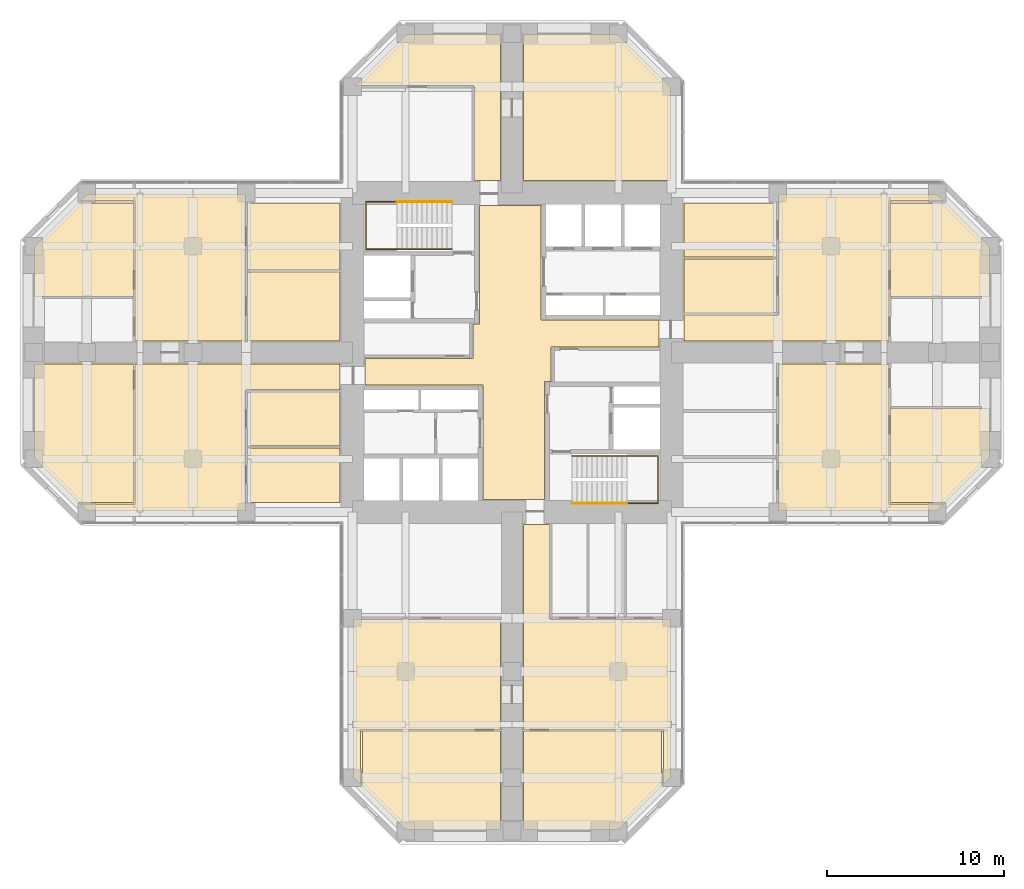
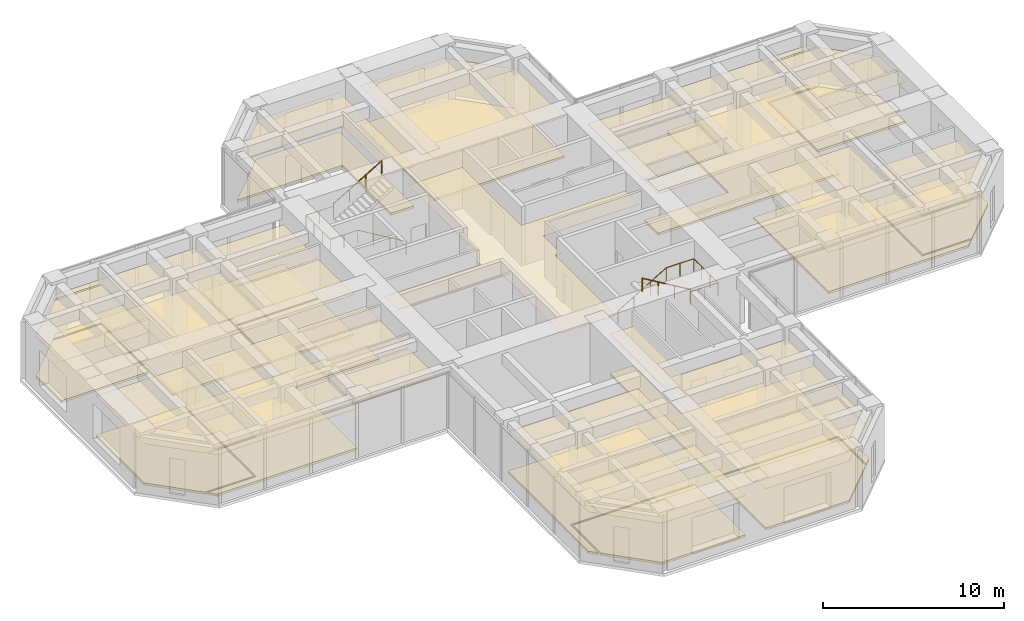
# One storey, part 13 of 13: 37 coverings, 4 railings.
"""IFC4 building model written with IfcOpenShell, lengths in metres."""

from ifc_helpers import new_model, si_unit, direction, frame, origin, origin_2d, place, context, subcontext, project, spatial, polyline, circle, outline, extrude, material, layer, layer_set, constituent, constituent_set, type_object, element, save


model = new_model("IFC4")

# Units and contexts
model_context = context("Model", 3, precision=1e-05, world=origin(), true_north=direction((0.0, 1.0)))
body_context = subcontext(model_context, "Body", "Model", "MODEL_VIEW")
ifc_project = project(units=[si_unit("LENGTHUNIT", "METRE"), si_unit("AREAUNIT", "SQUARE_METRE"), si_unit("VOLUMEUNIT", "CUBIC_METRE"), si_unit("PLANEANGLEUNIT", "RADIAN"), si_unit("MASSUNIT", "GRAM", prefix="KILO")], contexts=[model_context])

# Site, building, storey
site_placement = place(None, origin())
site = spatial("IfcSite", under=ifc_project, at=site_placement, CompositionType="ELEMENT")
building_placement = place(site_placement, origin())
building = spatial("IfcBuilding", under=site, at=building_placement, Name="Torre Cruceta", CompositionType="ELEMENT")
storey_placement = place(building_placement, frame((0.0, 0.0, 128.5)))
storey = spatial("IfcBuildingStorey", under=building, at=storey_placement, Name="L31", CompositionType="ELEMENT", Elevation=128.5)

# Railings
ifc_material_1 = material(Name="Stainless steel 1.4401", Category="steel")
railing_type = type_object("IfcRailingType", Name="HANDRAIL 900", PredefinedType="HANDRAIL", material=ifc_material_1)
railing_1_placement = place(storey_placement, frame((-3.39990234375, 5.8349609375, 0.166748046875)))
element("IfcRailing", 1, at=railing_1_placement, inside=storey, type_object=railing_type, Name="Handrail HR1 ST1 L31", PredefinedType="HANDRAIL", context=body_context, shape_type="SweptSolid", body=[
    extrude(circle(Radius=0.02392578125, at=origin_2d()), frame((0.0, 0.0, 0.8759765625), z_axis=(-0.859308565015, 0.0, 0.511457515432), x_axis=(0.0, -1.0, 0.0)), (0.0, 0.0, 1.0), 3.58447265625),
    extrude(circle(Radius=0.02392578125, at=origin_2d()), frame((-3.080078125, 0.0, 2.708984375), z_axis=(-1.0, 0.0, 0.0), x_axis=(0.0, -1.0, 0.0)), (0.0, 0.0, 1.0), 1.760009765625),
    extrude(circle(Radius=0.02392578125, at=origin_2d()), frame((-4.840087890625, 0.0, 2.708984375), z_axis=(0.0, 1.0, 0.0), x_axis=(-1.0, 0.0, 0.0)), (0.0, 0.0, 1.0), 2.679931640625),
    extrude(circle(Radius=0.02392578125, at=origin_2d()), frame((-4.840087890625, 2.679931640625, 2.708984375), z_axis=(1.0, 0.0, 0.0), x_axis=(0.0, 1.0, 0.0)), (0.0, 0.0, 1.0), 1.760009765625),
    extrude(circle(Radius=0.02099609375, at=origin_2d()), origin(), (0.0, 0.0, 1.0), 0.851806640625),
    extrude(circle(Radius=0.02099609375, at=origin_2d()), frame((-1.026611328125, 0.0, 0.611083984375)), (0.0, 0.0, 1.0), 0.851806640625),
    extrude(circle(Radius=0.02099609375, at=origin_2d()), frame((-2.053466796875, 0.0, 1.22216796875)), (0.0, 0.0, 1.0), 0.851806640625),
    extrude(circle(Radius=0.02099609375, at=origin_2d()), frame((-3.080078125, 0.0, 1.833251953125)), (0.0, 0.0, 1.0), 0.851806640625),
    extrude(circle(Radius=0.02099609375, at=origin_2d()), frame((-3.9599609375, 0.0, 1.833251953125)), (0.0, 0.0, 1.0), 0.851806640625),
    extrude(circle(Radius=0.02099609375, at=origin_2d()), frame((-4.840087890625, 0.0, 1.833251953125)), (0.0, 0.0, 1.0), 0.851806640625),
    extrude(circle(Radius=0.02099609375, at=origin_2d()), frame((-4.840087890625, 0.893310546875, 1.833251953125)), (0.0, 0.0, 1.0), 0.851806640625),
    extrude(circle(Radius=0.02099609375, at=origin_2d()), frame((-4.840087890625, 1.78662109375, 1.833251953125)), (0.0, 0.0, 1.0), 0.851806640625),
    extrude(circle(Radius=0.02099609375, at=origin_2d()), frame((-4.840087890625, 2.679931640625, 1.833251953125)), (0.0, 0.0, 1.0), 0.851806640625),
    extrude(circle(Radius=0.02099609375, at=origin_2d()), frame((-3.9599609375, 2.679931640625, 1.833251953125)), (0.0, 0.0, 1.0), 0.851806640625),
    extrude(circle(Radius=0.02099609375, at=origin_2d()), frame((-3.080078125, 2.679931640625, 1.833251953125)), (0.0, 0.0, 1.0), 0.851806640625),
])
railing_2_placement = place(storey_placement, frame((-6.47998046875, 8.514892578125, 2.166748046875)))
element("IfcRailing", 2, at=railing_2_placement, inside=storey, type_object=railing_type, Name="Handrail HR1 ST1 L31", PredefinedType="HANDRAIL", context=body_context, shape_type="SweptSolid", body=[
    extrude(circle(Radius=0.02392578125, at=origin_2d()), frame((0.0, 0.0, 0.8759765625), z_axis=(0.859308565015, 0.0, 0.511457515432), x_axis=(0.0, 1.0, 0.0)), (0.0, 0.0, 1.0), 3.58447265625),
    extrude(circle(Radius=0.02099609375, at=origin_2d()), origin(), (0.0, 0.0, 1.0), 0.851806640625),
    extrude(circle(Radius=0.02099609375, at=origin_2d()), frame((1.026611328125, 0.0, 0.611083984375)), (0.0, 0.0, 1.0), 0.851806640625),
    extrude(circle(Radius=0.02099609375, at=origin_2d()), frame((2.053466796875, 0.0, 1.22216796875)), (0.0, 0.0, 1.0), 0.851806640625),
    extrude(circle(Radius=0.02099609375, at=origin_2d()), frame((3.080078125, 0.0, 1.833251953125)), (0.0, 0.0, 1.0), 0.851806640625),
])
railing_3_placement = place(storey_placement, frame((3.39990234375, -5.8349609375, 0.166748046875)))
element("IfcRailing", 3, at=railing_3_placement, inside=storey, type_object=railing_type, Name="Handrail HR1 ST2 L31", PredefinedType="HANDRAIL", context=body_context, shape_type="SweptSolid", body=[
    extrude(circle(Radius=0.02392578125, at=origin_2d()), frame((0.0, 0.0, 0.8759765625), z_axis=(0.859308565015, 0.0, 0.511457515432), x_axis=(0.0, 1.0, 0.0)), (0.0, 0.0, 1.0), 3.58447265625),
    extrude(circle(Radius=0.02392578125, at=origin_2d()), frame((3.080078125, 0.0, 2.708984375), z_axis=(1.0, 0.0, 0.0), x_axis=(0.0, 1.0, 0.0)), (0.0, 0.0, 1.0), 1.760009765625),
    extrude(circle(Radius=0.02392578125, at=origin_2d()), frame((4.840087890625, 0.0, 2.708984375), z_axis=(0.0, -1.0, 0.0), x_axis=(1.0, 0.0, 0.0)), (0.0, 0.0, 1.0), 2.679931640625),
    extrude(circle(Radius=0.02392578125, at=origin_2d()), frame((4.840087890625, -2.679931640625, 2.708984375), z_axis=(-1.0, 0.0, 0.0), x_axis=(0.0, -1.0, 0.0)), (0.0, 0.0, 1.0), 1.760009765625),
    extrude(circle(Radius=0.02099609375, at=origin_2d()), origin(), (0.0, 0.0, 1.0), 0.851806640625),
    extrude(circle(Radius=0.02099609375, at=origin_2d()), frame((1.026611328125, 0.0, 0.611083984375)), (0.0, 0.0, 1.0), 0.851806640625),
    extrude(circle(Radius=0.02099609375, at=origin_2d()), frame((2.053466796875, 0.0, 1.22216796875)), (0.0, 0.0, 1.0), 0.851806640625),
    extrude(circle(Radius=0.02099609375, at=origin_2d()), frame((3.080078125, 0.0, 1.833251953125)), (0.0, 0.0, 1.0), 0.851806640625),
    extrude(circle(Radius=0.02099609375, at=origin_2d()), frame((3.9599609375, 0.0, 1.833251953125)), (0.0, 0.0, 1.0), 0.851806640625),
    extrude(circle(Radius=0.02099609375, at=origin_2d()), frame((4.840087890625, 0.0, 1.833251953125)), (0.0, 0.0, 1.0), 0.851806640625),
    extrude(circle(Radius=0.02099609375, at=origin_2d()), frame((4.840087890625, -0.893310546875, 1.833251953125)), (0.0, 0.0, 1.0), 0.851806640625),
    extrude(circle(Radius=0.02099609375, at=origin_2d()), frame((4.840087890625, -1.78662109375, 1.833251953125)), (0.0, 0.0, 1.0), 0.851806640625),
    extrude(circle(Radius=0.02099609375, at=origin_2d()), frame((4.840087890625, -2.679931640625, 1.833251953125)), (0.0, 0.0, 1.0), 0.851806640625),
    extrude(circle(Radius=0.02099609375, at=origin_2d()), frame((3.9599609375, -2.679931640625, 1.833251953125)), (0.0, 0.0, 1.0), 0.851806640625),
    extrude(circle(Radius=0.02099609375, at=origin_2d()), frame((3.080078125, -2.679931640625, 1.833251953125)), (0.0, 0.0, 1.0), 0.851806640625),
])
railing_4_placement = place(storey_placement, frame((6.47998046875, -8.514892578125, 2.166748046875)))
element("IfcRailing", 4, at=railing_4_placement, inside=storey, type_object=railing_type, Name="Handrail HR1 ST2 L31", PredefinedType="HANDRAIL", context=body_context, shape_type="SweptSolid", body=[
    extrude(circle(Radius=0.02392578125, at=origin_2d()), frame((0.0, 0.0, 0.8759765625), z_axis=(-0.859308565015, 0.0, 0.511457515432), x_axis=(0.0, -1.0, 0.0)), (0.0, 0.0, 1.0), 3.58447265625),
    extrude(circle(Radius=0.02099609375, at=origin_2d()), origin(), (0.0, 0.0, 1.0), 0.851806640625),
    extrude(circle(Radius=0.02099609375, at=origin_2d()), frame((-1.026611328125, 0.0, 0.611083984375)), (0.0, 0.0, 1.0), 0.851806640625),
    extrude(circle(Radius=0.02099609375, at=origin_2d()), frame((-2.053466796875, 0.0, 1.22216796875)), (0.0, 0.0, 1.0), 0.851806640625),
    extrude(circle(Radius=0.02099609375, at=origin_2d()), frame((-3.080078125, 0.0, 1.833251953125)), (0.0, 0.0, 1.0), 0.851806640625),
])

# Coverings
ifc_material_2 = material(Name="Steel DX51D", Category="steel")
ifc_constituent_1 = constituent(ifc_material_2, Name="Panel casing")
ifc_material_3 = material(Name="Calcium sulphate", Category="gypsum")
ifc_constituent_2 = constituent(ifc_material_3, Name="Panel core")
ifc_constituent_set = constituent_set(constituents=[ifc_constituent_1, ifc_constituent_2], Name="Raised access floor panel")
covering_type_1 = type_object("IfcCoveringType", Name="RAISED ACCESS FLOOR 150", PredefinedType="FLOORING", material=ifc_constituent_set)
covering_1_placement = place(storey_placement, origin())
element("IfcCovering", 5, at=covering_1_placement, inside=storey, type_object=covering_type_1, Name="Raised floor L31-026", PredefinedType="FLOORING", context=body_context, shape_type="SweptSolid", body=[
    extrude(outline(polyline([(-0.64990234375, 17.949951171875), (-0.64990234375, 9.699951171875), (-2.125, 9.699951171875), (-2.125, 15.050048828125), (-8.87939453125, 15.050048828125), (-5.979248046875, 17.949951171875), (-0.64990234375, 17.949951171875)])), origin(), (0.0, 0.0, 1.0), 0.14990234375),
])
covering_2_placement = place(storey_placement, origin())
element("IfcCovering", 6, at=covering_2_placement, inside=storey, type_object=covering_type_1, Name="Raised floor L31-027", PredefinedType="FLOORING", context=body_context, shape_type="SweptSolid", body=[
    extrude(outline(polyline([(5.979248046875, 17.949951171875), (8.949951171875, 14.979248046875), (8.949951171875, 9.699951171875), (0.64990234375, 9.699951171875), (0.64990234375, 17.949951171875), (5.979248046875, 17.949951171875)])), origin(), (0.0, 0.0, 1.0), 0.14990234375),
])
covering_3_placement = place(storey_placement, origin())
element("IfcCovering", 7, at=covering_3_placement, inside=storey, type_object=covering_type_1, Name="Raised floor L31-034", PredefinedType="FLOORING", context=body_context, shape_type="SweptSolid", body=[
    extrude(outline(polyline([(26.949951171875, 3.16796875), (21.3701171875, 3.16796875), (21.3701171875, 8.449951171875), (24.479248046875, 8.449951171875), (26.949951171875, 5.979248046875), (26.949951171875, 3.16796875)])), origin(), (0.0, 0.0, 1.0), 0.14990234375),
])
covering_4_placement = place(storey_placement, origin())
element("IfcCovering", 8, at=covering_4_placement, inside=storey, type_object=covering_type_1, Name="Raised floor L31-036", PredefinedType="FLOORING", context=body_context, shape_type="SweptSolid", body=[
    extrude(outline(polyline([(24.479248046875, -8.449951171875), (21.3701171875, -8.449951171875), (21.3701171875, -3.16796875), (26.949951171875, -3.16796875), (26.949951171875, -5.979248046875), (24.479248046875, -8.449951171875)])), origin(), (0.0, 0.0, 1.0), 0.14990234375),
])
covering_5_placement = place(storey_placement, origin())
element("IfcCovering", 9, at=covering_5_placement, inside=storey, type_object=covering_type_1, Name="Raised floor L31-037", PredefinedType="FLOORING", context=body_context, shape_type="SweptSolid", body=[
    extrude(outline(polyline([(9.699951171875, 2.125), (15.050048828125, 2.125), (15.050048828125, 8.949951171875), (23.979248046875, 8.949951171875), (24.37939453125, 8.550048828125), (21.27001953125, 8.550048828125), (21.27001953125, 0.64990234375), (9.699951171875, 0.64990234375), (9.699951171875, 2.125)])), origin(), (0.0, 0.0, 1.0), 0.14990234375),
])
covering_6_placement = place(storey_placement, origin())
element("IfcCovering", 10, at=covering_6_placement, inside=storey, type_object=covering_type_1, Name="Raised floor L31-038", PredefinedType="FLOORING", context=body_context, shape_type="SweptSolid", body=[
    extrude(outline(polyline([(15.050048828125, -8.949951171875), (15.050048828125, -0.64990234375), (21.27001953125, -0.64990234375), (21.27001953125, -8.550048828125), (24.37939453125, -8.550048828125), (23.979248046875, -8.949951171875), (15.050048828125, -8.949951171875)])), origin(), (0.0, 0.0, 1.0), 0.14990234375),
])
covering_7_placement = place(storey_placement, origin())
element("IfcCovering", 11, at=covering_7_placement, inside=storey, type_object=covering_type_1, Name="Raised floor L31-043", PredefinedType="FLOORING", context=body_context, shape_type="SweptSolid", body=[
    extrude(outline(polyline([(0.64990234375, -26.949951171875), (0.64990234375, -21.3701171875), (8.449951171875, -21.3701171875), (8.449951171875, -24.479248046875), (5.979248046875, -26.949951171875), (0.64990234375, -26.949951171875)])), origin(), (0.0, 0.0, 1.0), 0.14990234375),
])
covering_8_placement = place(storey_placement, origin())
element("IfcCovering", 12, at=covering_8_placement, inside=storey, type_object=covering_type_1, Name="Raised floor L31-044", PredefinedType="FLOORING", context=body_context, shape_type="SweptSolid", body=[
    extrude(outline(polyline([(-8.449951171875, -24.479248046875), (-8.449951171875, -21.3701171875), (-0.64990234375, -21.3701171875), (-0.64990234375, -26.949951171875), (-5.979248046875, -26.949951171875), (-8.449951171875, -24.479248046875)])), origin(), (0.0, 0.0, 1.0), 0.14990234375),
])
covering_9_placement = place(storey_placement, origin())
element("IfcCovering", 13, at=covering_9_placement, inside=storey, type_object=covering_type_1, Name="Raised floor L31-045", PredefinedType="FLOORING", context=body_context, shape_type="SweptSolid", body=[
    extrude(outline(polyline([(2.125, -9.699951171875), (2.125, -15.050048828125), (8.949951171875, -15.050048828125), (8.949951171875, -23.979248046875), (8.550048828125, -24.37939453125), (8.550048828125, -21.27001953125), (0.64990234375, -21.27001953125), (0.64990234375, -9.699951171875), (2.125, -9.699951171875)])), origin(), (0.0, 0.0, 1.0), 0.14990234375),
])
covering_10_placement = place(storey_placement, origin())
element("IfcCovering", 14, at=covering_10_placement, inside=storey, type_object=covering_type_1, Name="Raised floor L31-046", PredefinedType="FLOORING", context=body_context, shape_type="SweptSolid", body=[
    extrude(outline(polyline([(-8.949951171875, -15.050048828125), (-0.64990234375, -15.050048828125), (-0.64990234375, -21.27001953125), (-8.550048828125, -21.27001953125), (-8.550048828125, -24.37939453125), (-8.949951171875, -23.979248046875), (-8.949951171875, -15.050048828125)])), origin(), (0.0, 0.0, 1.0), 0.14990234375),
])
covering_11_placement = place(storey_placement, origin())
element("IfcCovering", 15, at=covering_11_placement, inside=storey, type_object=covering_type_1, Name="Raised floor L31-049", PredefinedType="FLOORING", context=body_context, shape_type="SweptSolid", body=[
    extrude(outline(polyline([(-9.699951171875, 4.550048828125), (-9.699951171875, 0.64990234375), (-14.949951171875, 0.64990234375), (-14.949951171875, 4.550048828125), (-9.699951171875, 4.550048828125)])), origin(), (0.0, 0.0, 1.0), 0.14990234375),
])
covering_12_placement = place(storey_placement, origin())
element("IfcCovering", 16, at=covering_12_placement, inside=storey, type_object=covering_type_1, Name="Raised floor L31-050", PredefinedType="FLOORING", context=body_context, shape_type="SweptSolid", body=[
    extrude(outline(polyline([(-9.699951171875, 8.449951171875), (-9.699951171875, 4.64990234375), (-14.949951171875, 4.64990234375), (-14.949951171875, 8.449951171875), (-9.699951171875, 8.449951171875)])), origin(), (0.0, 0.0, 1.0), 0.14990234375),
])
covering_13_placement = place(storey_placement, origin())
element("IfcCovering", 17, at=covering_13_placement, inside=storey, type_object=covering_type_1, Name="Raised floor L31-051", PredefinedType="FLOORING", context=body_context, shape_type="SweptSolid", body=[
    extrude(outline(polyline([(-26.949951171875, -0.64990234375), (-21.3701171875, -0.64990234375), (-21.3701171875, -8.449951171875), (-24.479248046875, -8.449951171875), (-26.949951171875, -5.979248046875), (-26.949951171875, -0.64990234375)])), origin(), (0.0, 0.0, 1.0), 0.14990234375),
])
covering_14_placement = place(storey_placement, origin())
element("IfcCovering", 18, at=covering_14_placement, inside=storey, type_object=covering_type_1, Name="Raised floor L31-053", PredefinedType="FLOORING", context=body_context, shape_type="SweptSolid", body=[
    extrude(outline(polyline([(-24.479248046875, 8.449951171875), (-21.3701171875, 8.449951171875), (-21.3701171875, 3.16796875), (-26.949951171875, 3.16796875), (-26.949951171875, 5.979248046875), (-24.479248046875, 8.449951171875)])), origin(), (0.0, 0.0, 1.0), 0.14990234375),
])
covering_15_placement = place(storey_placement, origin())
element("IfcCovering", 19, at=covering_15_placement, inside=storey, type_object=covering_type_1, Name="Raised floor L31-054", PredefinedType="FLOORING", context=body_context, shape_type="SweptSolid", body=[
    extrude(outline(polyline([(-9.699951171875, -2.125), (-15.050048828125, -2.125), (-15.050048828125, -8.949951171875), (-23.979248046875, -8.949951171875), (-24.37939453125, -8.550048828125), (-21.27001953125, -8.550048828125), (-21.27001953125, -0.64990234375), (-9.699951171875, -0.64990234375), (-9.699951171875, -2.125)])), origin(), (0.0, 0.0, 1.0), 0.14990234375),
])
covering_16_placement = place(storey_placement, origin())
element("IfcCovering", 20, at=covering_16_placement, inside=storey, type_object=covering_type_1, Name="Raised floor L31-055", PredefinedType="FLOORING", context=body_context, shape_type="SweptSolid", body=[
    extrude(outline(polyline([(-15.050048828125, 8.949951171875), (-15.050048828125, 0.64990234375), (-21.27001953125, 0.64990234375), (-21.27001953125, 8.550048828125), (-24.37939453125, 8.550048828125), (-23.979248046875, 8.949951171875), (-15.050048828125, 8.949951171875)])), origin(), (0.0, 0.0, 1.0), 0.14990234375),
])
ifc_material_4 = material(Name="Mineral fibre ceiling tile", Category="gypsum")
ifc_layer = layer(ifc_material_4, 0.02001953125)
ifc_layer_set = layer_set([ifc_layer], Name="Mineral fibre ceiling tile")
covering_type_2 = type_object("IfcCoveringType", Name="SUSPENDED CEILING 20", PredefinedType="CEILING", material=ifc_layer_set)
covering_17_placement = place(storey_placement, frame((0.0, 0.0, 2.780029296875)))
element("IfcCovering", 21, at=covering_17_placement, inside=storey, type_object=covering_type_2, Name="Ceiling L31-001", PredefinedType="CEILING", context=body_context, shape_type="SweptSolid", body=[
    extrude(outline(polyline([(1.824951171875, -8.300048828125), (-1.625, -8.300048828125), (-1.625, -1.824951171875), (-8.300048828125, -1.824951171875), (-8.300048828125, -0.324951171875), (-2.199951171875, -0.324951171875), (-2.199951171875, 1.625), (-1.824951171875, 1.625), (-1.824951171875, 8.300048828125), (1.625, 8.300048828125), (1.625, 1.824951171875), (8.300048828125, 1.824951171875), (8.300048828125, 0.324951171875), (2.199951171875, 0.324951171875), (2.199951171875, -1.625), (1.824951171875, -1.625), (1.824951171875, -8.300048828125)])), origin(), (0.0, 0.0, 1.0), 0.02001953125),
])
covering_18_placement = place(storey_placement, frame((0.0, 0.0, 2.780029296875)))
element("IfcCovering", 22, at=covering_18_placement, inside=storey, type_object=covering_type_2, Name="Ceiling L31-026", PredefinedType="CEILING", context=body_context, shape_type="SweptSolid", body=[
    extrude(outline(polyline([(-0.64990234375, 17.949951171875), (-0.64990234375, 9.699951171875), (-2.125, 9.699951171875), (-2.125, 15.050048828125), (-8.87939453125, 15.050048828125), (-5.979248046875, 17.949951171875), (-0.64990234375, 17.949951171875)])), origin(), (0.0, 0.0, 1.0), 0.02001953125),
])
covering_19_placement = place(storey_placement, frame((0.0, 0.0, 2.780029296875)))
element("IfcCovering", 23, at=covering_19_placement, inside=storey, type_object=covering_type_2, Name="Ceiling L31-027", PredefinedType="CEILING", context=body_context, shape_type="SweptSolid", body=[
    extrude(outline(polyline([(5.979248046875, 17.949951171875), (8.949951171875, 14.979248046875), (8.949951171875, 9.699951171875), (0.64990234375, 9.699951171875), (0.64990234375, 17.949951171875), (5.979248046875, 17.949951171875)])), origin(), (0.0, 0.0, 1.0), 0.02001953125),
])
covering_20_placement = place(storey_placement, frame((0.0, 0.0, 2.780029296875)))
element("IfcCovering", 24, at=covering_20_placement, inside=storey, type_object=covering_type_2, Name="Ceiling L31-028", PredefinedType="CEILING", context=body_context, shape_type="SweptSolid", body=[
    extrude(outline(polyline([(9.699951171875, 2.22509765625), (9.699951171875, 5.28759765625), (14.949951171875, 5.28759765625), (14.949951171875, 2.22509765625), (9.699951171875, 2.22509765625)])), origin(), (0.0, 0.0, 1.0), 0.02001953125),
])
covering_21_placement = place(storey_placement, frame((0.0, 0.0, 2.780029296875)))
element("IfcCovering", 25, at=covering_21_placement, inside=storey, type_object=covering_type_2, Name="Ceiling L31-029", PredefinedType="CEILING", context=body_context, shape_type="SweptSolid", body=[
    extrude(outline(polyline([(9.699951171875, 5.387451171875), (9.699951171875, 8.449951171875), (14.949951171875, 8.449951171875), (14.949951171875, 5.387451171875), (9.699951171875, 5.387451171875)])), origin(), (0.0, 0.0, 1.0), 0.02001953125),
])
covering_22_placement = place(storey_placement, frame((0.0, 0.0, 2.780029296875)))
element("IfcCovering", 26, at=covering_22_placement, inside=storey, type_object=covering_type_2, Name="Ceiling L31-034", PredefinedType="CEILING", context=body_context, shape_type="SweptSolid", body=[
    extrude(outline(polyline([(26.949951171875, 3.16796875), (21.3701171875, 3.16796875), (21.3701171875, 8.449951171875), (24.479248046875, 8.449951171875), (26.949951171875, 5.979248046875), (26.949951171875, 3.16796875)])), origin(), (0.0, 0.0, 1.0), 0.02001953125),
])
covering_23_placement = place(storey_placement, frame((0.0, 0.0, 2.780029296875)))
element("IfcCovering", 27, at=covering_23_placement, inside=storey, type_object=covering_type_2, Name="Ceiling L31-036", PredefinedType="CEILING", context=body_context, shape_type="SweptSolid", body=[
    extrude(outline(polyline([(24.479248046875, -8.449951171875), (21.3701171875, -8.449951171875), (21.3701171875, -3.16796875), (26.949951171875, -3.16796875), (26.949951171875, -5.979248046875), (24.479248046875, -8.449951171875)])), origin(), (0.0, 0.0, 1.0), 0.02001953125),
])
covering_24_placement = place(storey_placement, frame((0.0, 0.0, 2.780029296875)))
element("IfcCovering", 28, at=covering_24_placement, inside=storey, type_object=covering_type_2, Name="Ceiling L31-037", PredefinedType="CEILING", context=body_context, shape_type="SweptSolid", body=[
    extrude(outline(polyline([(9.699951171875, 2.125), (15.050048828125, 2.125), (15.050048828125, 8.949951171875), (23.979248046875, 8.949951171875), (24.37939453125, 8.550048828125), (21.27001953125, 8.550048828125), (21.27001953125, 0.64990234375), (9.699951171875, 0.64990234375), (9.699951171875, 2.125)])), origin(), (0.0, 0.0, 1.0), 0.02001953125),
])
covering_25_placement = place(storey_placement, frame((0.0, 0.0, 2.780029296875)))
element("IfcCovering", 29, at=covering_25_placement, inside=storey, type_object=covering_type_2, Name="Ceiling L31-038", PredefinedType="CEILING", context=body_context, shape_type="SweptSolid", body=[
    extrude(outline(polyline([(15.050048828125, -8.949951171875), (15.050048828125, -0.64990234375), (21.27001953125, -0.64990234375), (21.27001953125, -8.550048828125), (24.37939453125, -8.550048828125), (23.979248046875, -8.949951171875), (15.050048828125, -8.949951171875)])), origin(), (0.0, 0.0, 1.0), 0.02001953125),
])
covering_26_placement = place(storey_placement, frame((0.0, 0.0, 2.780029296875)))
element("IfcCovering", 30, at=covering_26_placement, inside=storey, type_object=covering_type_2, Name="Ceiling L31-043", PredefinedType="CEILING", context=body_context, shape_type="SweptSolid", body=[
    extrude(outline(polyline([(0.64990234375, -26.949951171875), (0.64990234375, -21.3701171875), (8.449951171875, -21.3701171875), (8.449951171875, -24.479248046875), (5.979248046875, -26.949951171875), (0.64990234375, -26.949951171875)])), origin(), (0.0, 0.0, 1.0), 0.02001953125),
])
covering_27_placement = place(storey_placement, frame((0.0, 0.0, 2.780029296875)))
element("IfcCovering", 31, at=covering_27_placement, inside=storey, type_object=covering_type_2, Name="Ceiling L31-044", PredefinedType="CEILING", context=body_context, shape_type="SweptSolid", body=[
    extrude(outline(polyline([(-8.449951171875, -24.479248046875), (-8.449951171875, -21.3701171875), (-0.64990234375, -21.3701171875), (-0.64990234375, -26.949951171875), (-5.979248046875, -26.949951171875), (-8.449951171875, -24.479248046875)])), origin(), (0.0, 0.0, 1.0), 0.02001953125),
])
covering_28_placement = place(storey_placement, frame((0.0, 0.0, 2.780029296875)))
element("IfcCovering", 32, at=covering_28_placement, inside=storey, type_object=covering_type_2, Name="Ceiling L31-045", PredefinedType="CEILING", context=body_context, shape_type="SweptSolid", body=[
    extrude(outline(polyline([(2.125, -9.699951171875), (2.125, -15.050048828125), (8.949951171875, -15.050048828125), (8.949951171875, -23.979248046875), (8.550048828125, -24.37939453125), (8.550048828125, -21.27001953125), (0.64990234375, -21.27001953125), (0.64990234375, -9.699951171875), (2.125, -9.699951171875)])), origin(), (0.0, 0.0, 1.0), 0.02001953125),
])
covering_29_placement = place(storey_placement, frame((0.0, 0.0, 2.780029296875)))
element("IfcCovering", 33, at=covering_29_placement, inside=storey, type_object=covering_type_2, Name="Ceiling L31-046", PredefinedType="CEILING", context=body_context, shape_type="SweptSolid", body=[
    extrude(outline(polyline([(-8.949951171875, -15.050048828125), (-0.64990234375, -15.050048828125), (-0.64990234375, -21.27001953125), (-8.550048828125, -21.27001953125), (-8.550048828125, -24.37939453125), (-8.949951171875, -23.979248046875), (-8.949951171875, -15.050048828125)])), origin(), (0.0, 0.0, 1.0), 0.02001953125),
])
covering_30_placement = place(storey_placement, frame((0.0, 0.0, 2.780029296875)))
element("IfcCovering", 34, at=covering_30_placement, inside=storey, type_object=covering_type_2, Name="Ceiling L31-047", PredefinedType="CEILING", context=body_context, shape_type="SweptSolid", body=[
    extrude(outline(polyline([(-9.699951171875, -2.22509765625), (-9.699951171875, -5.28759765625), (-14.949951171875, -5.28759765625), (-14.949951171875, -2.22509765625), (-9.699951171875, -2.22509765625)])), origin(), (0.0, 0.0, 1.0), 0.02001953125),
])
covering_31_placement = place(storey_placement, frame((0.0, 0.0, 2.780029296875)))
element("IfcCovering", 35, at=covering_31_placement, inside=storey, type_object=covering_type_2, Name="Ceiling L31-048", PredefinedType="CEILING", context=body_context, shape_type="SweptSolid", body=[
    extrude(outline(polyline([(-9.699951171875, -5.387451171875), (-9.699951171875, -8.449951171875), (-14.949951171875, -8.449951171875), (-14.949951171875, -5.387451171875), (-9.699951171875, -5.387451171875)])), origin(), (0.0, 0.0, 1.0), 0.02001953125),
])
covering_32_placement = place(storey_placement, frame((0.0, 0.0, 2.780029296875)))
element("IfcCovering", 36, at=covering_32_placement, inside=storey, type_object=covering_type_2, Name="Ceiling L31-049", PredefinedType="CEILING", context=body_context, shape_type="SweptSolid", body=[
    extrude(outline(polyline([(-9.699951171875, 4.550048828125), (-9.699951171875, 0.64990234375), (-14.949951171875, 0.64990234375), (-14.949951171875, 4.550048828125), (-9.699951171875, 4.550048828125)])), origin(), (0.0, 0.0, 1.0), 0.02001953125),
])
covering_33_placement = place(storey_placement, frame((0.0, 0.0, 2.780029296875)))
element("IfcCovering", 37, at=covering_33_placement, inside=storey, type_object=covering_type_2, Name="Ceiling L31-050", PredefinedType="CEILING", context=body_context, shape_type="SweptSolid", body=[
    extrude(outline(polyline([(-9.699951171875, 8.449951171875), (-9.699951171875, 4.64990234375), (-14.949951171875, 4.64990234375), (-14.949951171875, 8.449951171875), (-9.699951171875, 8.449951171875)])), origin(), (0.0, 0.0, 1.0), 0.02001953125),
])
covering_34_placement = place(storey_placement, frame((0.0, 0.0, 2.780029296875)))
element("IfcCovering", 38, at=covering_34_placement, inside=storey, type_object=covering_type_2, Name="Ceiling L31-051", PredefinedType="CEILING", context=body_context, shape_type="SweptSolid", body=[
    extrude(outline(polyline([(-26.949951171875, -0.64990234375), (-21.3701171875, -0.64990234375), (-21.3701171875, -8.449951171875), (-24.479248046875, -8.449951171875), (-26.949951171875, -5.979248046875), (-26.949951171875, -0.64990234375)])), origin(), (0.0, 0.0, 1.0), 0.02001953125),
])
covering_35_placement = place(storey_placement, frame((0.0, 0.0, 2.780029296875)))
element("IfcCovering", 39, at=covering_35_placement, inside=storey, type_object=covering_type_2, Name="Ceiling L31-053", PredefinedType="CEILING", context=body_context, shape_type="SweptSolid", body=[
    extrude(outline(polyline([(-24.479248046875, 8.449951171875), (-21.3701171875, 8.449951171875), (-21.3701171875, 3.16796875), (-26.949951171875, 3.16796875), (-26.949951171875, 5.979248046875), (-24.479248046875, 8.449951171875)])), origin(), (0.0, 0.0, 1.0), 0.02001953125),
])
covering_36_placement = place(storey_placement, frame((0.0, 0.0, 2.780029296875)))
element("IfcCovering", 40, at=covering_36_placement, inside=storey, type_object=covering_type_2, Name="Ceiling L31-054", PredefinedType="CEILING", context=body_context, shape_type="SweptSolid", body=[
    extrude(outline(polyline([(-9.699951171875, -2.125), (-15.050048828125, -2.125), (-15.050048828125, -8.949951171875), (-23.979248046875, -8.949951171875), (-24.37939453125, -8.550048828125), (-21.27001953125, -8.550048828125), (-21.27001953125, -0.64990234375), (-9.699951171875, -0.64990234375), (-9.699951171875, -2.125)])), origin(), (0.0, 0.0, 1.0), 0.02001953125),
])
covering_37_placement = place(storey_placement, frame((0.0, 0.0, 2.780029296875)))
element("IfcCovering", 41, at=covering_37_placement, inside=storey, type_object=covering_type_2, Name="Ceiling L31-055", PredefinedType="CEILING", context=body_context, shape_type="SweptSolid", body=[
    extrude(outline(polyline([(-15.050048828125, 8.949951171875), (-15.050048828125, 0.64990234375), (-21.27001953125, 0.64990234375), (-21.27001953125, 8.550048828125), (-24.37939453125, 8.550048828125), (-23.979248046875, 8.949951171875), (-15.050048828125, 8.949951171875)])), origin(), (0.0, 0.0, 1.0), 0.02001953125),
])

save(model, "model.ifc")
